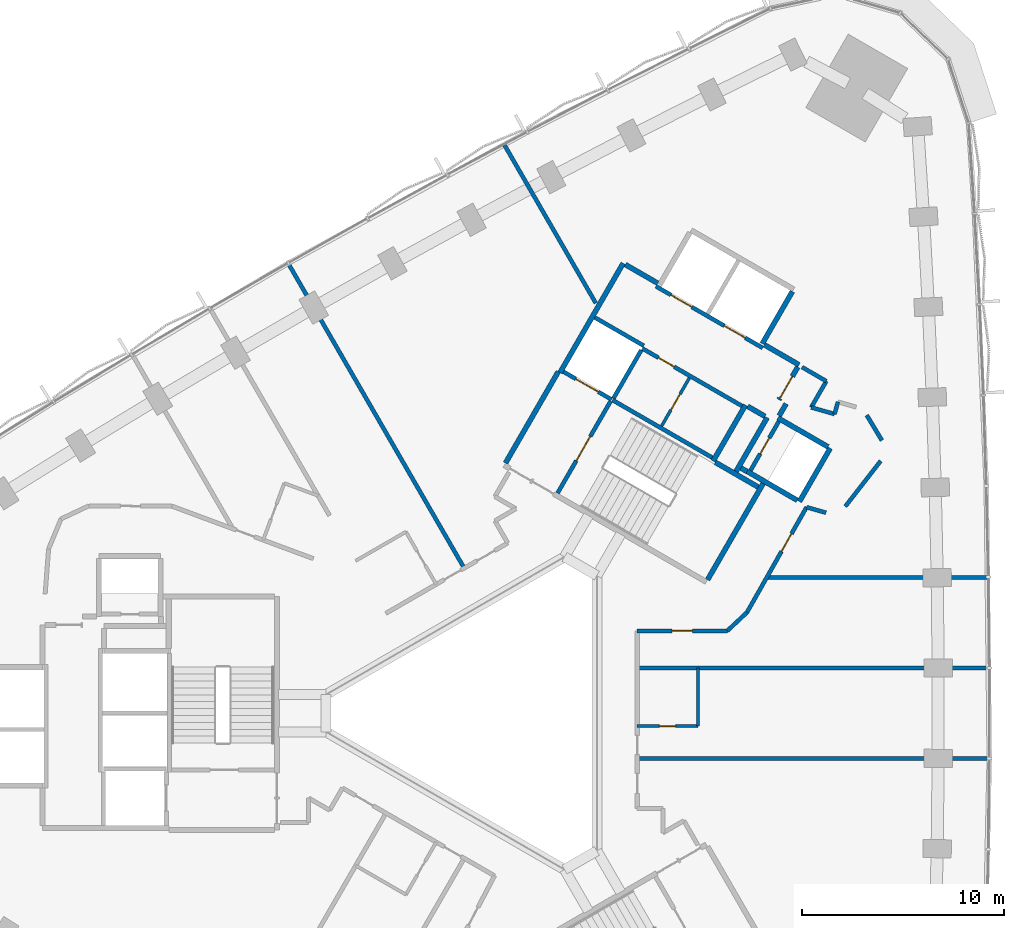
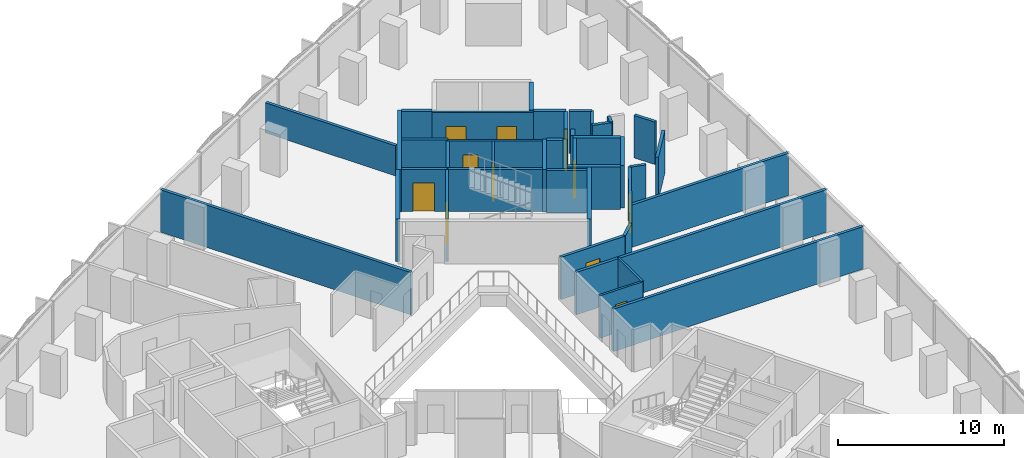
# One storey, part 11 of 15: 42 walls, 11 doors, 11 openings.
"""IFC4 building model written with IfcOpenShell, lengths in metres."""

import ifcopenshell
import ifcopenshell.guid

model = None  # the IFC model being written
_history = None  # IfcOwnerHistory: only IFC2X3 demands one
_inside = {}  # id of a spatial element -> (the spatial element, [elements in it])
_under = {}  # id of a project, library or spatial element -> (it, [spatial elements below it])
_declared = {}  # id of a project -> (the project, [libraries it declares])
_typed = {}  # id of a type object -> (the type object, [elements of that type])
_made_of = {}  # id of a material, layer set ... -> (it, [elements and type objects made of it])


def new_model(schema):
    """Start an empty IFC model of exactly this schema.

    Asked for "IFC4X3", IfcOpenShell would pick the latest addendum, in which some entities
    have other attributes; the version numbers below select the first issue.
    IFC2X3 requires an IfcOwnerHistory on every rooted entity: one is made here for all.
    """
    global model, _history
    if schema == "IFC4X3":
        model = ifcopenshell.file(schema_version=(4, 3, 0, 0))
    else:
        model = ifcopenshell.file(schema=schema)
    _inside.clear()
    _under.clear()
    _declared.clear()
    _typed.clear()
    _made_of.clear()
    _history = None
    if model.schema == "IFC2X3":
        org = make("IfcOrganization", Name="unknown")
        user = make(
            "IfcPersonAndOrganization",
            ThePerson=make("IfcPerson", FamilyName="unknown"),
            TheOrganization=org,
        )
        app = make(
            "IfcApplication",
            ApplicationDeveloper=org,
            Version="unknown",
            ApplicationFullName="unknown",
            ApplicationIdentifier="unknown",
        )
        _history = make(
            "IfcOwnerHistory",
            OwningUser=user,
            OwningApplication=app,
            ChangeAction="ADDED",
            CreationDate=0,
        )
    return model


def make(cls, **values):
    """One entity of the class cls with the attributes given. An attribute that is None is left unset."""
    return model.create_entity(
        cls, **{name: value for name, value in values.items() if value is not None}
    )


def rooted(cls, **values):
    """An entity with a GlobalId (a new one), such as an element, a storey or a relation."""
    return make(cls, GlobalId=ifcopenshell.guid.new(), OwnerHistory=_history, **values)


def si_unit(unit_type, name, prefix=None):
    """IfcSIUnit, for example si_unit("LENGTHUNIT", "METRE", prefix="MILLI")."""
    return make("IfcSIUnit", UnitType=unit_type, Prefix=prefix, Name=name)


def assignment(units):
    """IfcUnitAssignment: the units of a project."""
    return None if units is None else make("IfcUnitAssignment", Units=units)


def point(xyz):
    """IfcCartesianPoint."""
    return None if xyz is None else make("IfcCartesianPoint", Coordinates=xyz)


def direction(xyz):
    """IfcDirection."""
    return None if xyz is None else make("IfcDirection", DirectionRatios=xyz)


def frame(location, z_axis=None, x_axis=None):
    """IfcAxis2Placement3D, a coordinate frame: its origin and axes. An axis left out is left unset."""
    return make(
        "IfcAxis2Placement3D",
        Location=point(location),
        Axis=direction(z_axis),
        RefDirection=direction(x_axis),
    )


def frame_2d(location, x_axis=None):
    """IfcAxis2Placement2D, a coordinate frame in the plane: its origin and x axis."""
    return make(
        "IfcAxis2Placement2D", Location=point(location), RefDirection=direction(x_axis)
    )


def origin():
    """The frame at (0, 0, 0) with its axes left unset."""
    return frame((0.0, 0.0, 0.0))


def place(relative_to, where):
    """IfcLocalPlacement: puts the frame where relative to a parent placement (None: the world)."""
    return make(
        "IfcLocalPlacement", PlacementRelTo=relative_to, RelativePlacement=where
    )


def context(
    kind, dimensions, precision=None, world=None, true_north=None, identifier=None
):
    """IfcGeometricRepresentationContext, for example the 3D "Model" context."""
    return make(
        "IfcGeometricRepresentationContext",
        ContextIdentifier=identifier,
        ContextType=kind,
        CoordinateSpaceDimension=dimensions,
        Precision=precision,
        WorldCoordinateSystem=world,
        TrueNorth=true_north,
    )


def subcontext(parent, identifier, kind, view, scale=None):
    """IfcGeometricRepresentationSubContext, for example "Body" below "Model"."""
    return make(
        "IfcGeometricRepresentationSubContext",
        ContextIdentifier=identifier,
        ContextType=kind,
        ParentContext=parent,
        TargetScale=scale,
        TargetView=view,
    )


def project(units=None, contexts=None):
    """IfcProject with its units and contexts."""
    return rooted(
        "IfcProject",
        Name="project",
        RepresentationContexts=contexts,
        UnitsInContext=assignment(units),
    )


def spatial(cls, under=None, at=None, **own):
    """A site, building, storey or space (cls), placed at a placement, below another one or the project."""
    s = rooted(cls, ObjectPlacement=at, **own)
    if under is not None:
        _under.setdefault(under.id(), (under, []))[1].append(s)
    return s


def profile(cls, at=None, kind="AREA", **sizes):
    """A parametric profile (cls). Its sizes go by their IFC names, for example OverallWidth=200.0."""
    return make(cls, ProfileType=kind, Position=at, **sizes)


def rectangle(**sizes):
    """IfcRectangleProfileDef."""
    return profile("IfcRectangleProfileDef", **sizes)


def extrude(swept, where, along, depth):
    """IfcExtrudedAreaSolid: the profile swept, set in the frame where, extruded along a direction by depth."""
    return make(
        "IfcExtrudedAreaSolid",
        SweptArea=swept,
        Position=where,
        ExtrudedDirection=direction(along),
        Depth=depth,
    )


def shape(context_of_items, identifier, shape_type, items):
    """IfcShapeRepresentation: the items that make up one representation, for example the "Body"."""
    return make(
        "IfcShapeRepresentation",
        ContextOfItems=context_of_items,
        RepresentationIdentifier=identifier,
        RepresentationType=shape_type,
        Items=items,
    )


def material(Name=None, Category=None):
    """IfcMaterial."""
    return make("IfcMaterial", Name=Name, Category=Category)


def layer(
    of_material, thickness, ventilated=None, Name=None, Category=None, Priority=None
):
    """IfcMaterialLayer: one layer of a wall or slab, of a material (None: an air gap)."""
    return make(
        "IfcMaterialLayer",
        Material=of_material,
        LayerThickness=thickness,
        IsVentilated=ventilated,
        Name=Name,
        Category=Category,
        Priority=Priority,
    )


def layer_set(layers, Name=None):
    """IfcMaterialLayerSet."""
    return make("IfcMaterialLayerSet", MaterialLayers=layers, LayerSetName=Name)


def made_of(thing, what):
    """Note that an element or type object is made of a material, layer set ...; save() writes the relation."""
    if what is not None:
        _made_of.setdefault(what.id(), (what, []))[1].append(thing)
    return thing


def type_object(cls, material=None, **own):
    """A type object (cls), such as IfcWallType, which elements share."""
    return made_of(rooted(cls, **own), material)


def element(
    cls,
    number,
    at=None,
    inside=None,
    cuts=None,
    type_object=None,
    material=None,
    context=None,
    identifier="Body",
    shape_type=None,
    held_by="IfcProductDefinitionShape",
    body=None,
    shapes=None,
    **own,
):
    """One element of the class cls, such as IfcWall. Its Tag is "e" and its number.

    at: its placement. inside: the storey or other place that contains it. cuts: it is an
    opening in that element (IfcRelVoidsElement). A single representation is given by context,
    identifier, shape_type and body (its items); several are given by shapes. held_by: the class
    of the entity that holds the representations. save() writes the other relations.
    """
    e = rooted(cls, Tag="e%d" % number, ObjectPlacement=at, **own)
    if body is not None:
        shapes = [shape(context, identifier, shape_type, body)]
    if shapes is not None:
        e.Representation = make(held_by, Representations=shapes)
    if inside is not None:
        _inside.setdefault(inside.id(), (inside, []))[1].append(e)
    if cuts is not None:
        rooted(
            "IfcRelVoidsElement", RelatingBuildingElement=cuts, RelatedOpeningElement=e
        )
    if type_object is not None:
        _typed.setdefault(type_object.id(), (type_object, []))[1].append(e)
    return made_of(e, material)


def fill(opening, filler):
    """IfcRelFillsElement: the door or window that sits in an opening."""
    return rooted(
        "IfcRelFillsElement",
        RelatingOpeningElement=opening,
        RelatedBuildingElement=filler,
    )


def aggregate(whole, parts):
    """IfcRelAggregates: a whole, such as a stair, and the parts it consists of."""
    return rooted("IfcRelAggregates", RelatingObject=whole, RelatedObjects=parts)


def save(model, path):
    """Write the relations noted so far, then the file.

    IfcRelAggregates (storeys below a building ...), IfcRelContainedInSpatialStructure (elements
    in a storey), IfcRelDefinesByType, IfcRelAssociatesMaterial and IfcRelDeclares: one each for
    every whole, place, type object, material and project.
    """
    for whole, parts in _under.values():
        aggregate(whole, parts)
    for where, things in _inside.values():
        rooted(
            "IfcRelContainedInSpatialStructure",
            RelatedElements=things,
            RelatingStructure=where,
        )
    for kind, things in _typed.values():
        rooted("IfcRelDefinesByType", RelatedObjects=things, RelatingType=kind)
    for what, things in _made_of.values():
        rooted("IfcRelAssociatesMaterial", RelatedObjects=things, RelatingMaterial=what)
    for by, libraries in _declared.values():
        rooted("IfcRelDeclares", RelatingContext=by, RelatedDefinitions=libraries)
    model.write(path)


model = new_model("IFC4")

# Units and contexts
model_context = context("Model", 3, precision=1e-05, world=origin(), true_north=direction((0.0, 1.0)))
body_context = subcontext(model_context, "Body", "Model", "MODEL_VIEW")
ifc_project = project(units=[si_unit("LENGTHUNIT", "METRE"), si_unit("AREAUNIT", "SQUARE_METRE"), si_unit("VOLUMEUNIT", "CUBIC_METRE"), si_unit("PLANEANGLEUNIT", "RADIAN"), si_unit("MASSUNIT", "GRAM", prefix="KILO")], contexts=[model_context])

# Site, building, storey
site_placement = place(None, origin())
site = spatial("IfcSite", under=ifc_project, at=site_placement, CompositionType="ELEMENT")
building_placement = place(site_placement, origin())
building = spatial("IfcBuilding", under=site, at=building_placement, Name="Tamra Quay Hotel Tower", CompositionType="ELEMENT")
storey_placement = place(building_placement, frame((0.0, 0.0, 63.800048828125)))
storey = spatial("IfcBuildingStorey", under=building, at=storey_placement, Name="L14", CompositionType="ELEMENT", Elevation=63.800048828125)

# Wall, openings, doors
ifc_material_1 = material(Name="Concrete M70", Category="concrete")
ifc_layer_1 = layer(ifc_material_1, 0.199951171875)
ifc_layer_set_1 = layer_set([ifc_layer_1], Name="Concrete M70 core wall 200")
wall_type_1 = type_object("IfcWallType", Name="Concrete M70 core wall 200", PredefinedType="SHEAR", material=ifc_layer_set_1)
wall_1_placement = place(storey_placement, frame((13.209716796875, 18.07958984375, 0.0), z_axis=(0.0, 0.0, 1.0), x_axis=(-0.866030299012, 0.499991521122, 0.0)))
wall_1 = element("IfcWall", 1, at=wall_1_placement, inside=storey, type_object=wall_type_1, Name="CW2", PredefinedType="SHEAR", context=body_context, shape_type="SweptSolid", body=[
    extrude(rectangle(XDim=6.10009765625, YDim=0.199951171875, at=frame_2d((3.050048828125, 0.0))), origin(), (0.0, 0.0, 1.0), 3.125),
])
opening_1_placement = place(wall_1_placement, frame((1.0, 0.0, 0.0)))
opening_1 = element("IfcOpeningElement", 2, at=opening_1_placement, cuts=wall_1, Name="Opening LD", PredefinedType="OPENING", context=body_context, shape_type="SweptSolid", body=[
    extrude(rectangle(XDim=1.199951171875, YDim=2.10009765625, at=frame_2d((0.60009765625, 1.050048828125))), frame((0.0, 0.10986328125, 0.0), z_axis=(0.0, -1.0, 0.0), x_axis=(1.0, 0.0, 0.0)), (0.0, 0.0, 1.0), 0.219970703125),
])
opening_2_placement = place(wall_1_placement, frame((4.05029296875, 0.0, 0.0)))
opening_2 = element("IfcOpeningElement", 3, at=opening_2_placement, cuts=wall_1, Name="Opening LD", PredefinedType="OPENING", context=body_context, shape_type="SweptSolid", body=[
    extrude(rectangle(XDim=1.199951171875, YDim=2.10009765625, at=frame_2d((0.60009765625, 1.050048828125))), frame((0.0, 0.10986328125, 0.0), z_axis=(0.0, -1.0, 0.0), x_axis=(1.0, 0.0, 0.0)), (0.0, 0.0, 1.0), 0.219970703125),
])
ifc_material_2 = material(Name="Landing door LD 1200 double door sliding")
door_type_1 = type_object("IfcDoorType", Name="Landing door LD 1200 double door sliding", OperationType="DOUBLE_DOOR_SLIDING", PredefinedType="DOOR", material=ifc_material_2)
door_1_placement = place(opening_1_placement, origin())
door_1 = element("IfcDoor", 4, at=door_1_placement, inside=storey, type_object=door_type_1, Name="LD", OperationType="DOUBLE_DOOR_SLIDING", OverallHeight=2.10009765625, OverallWidth=1.199951171875, PredefinedType="DOOR", context=body_context, shape_type="SweptSolid", body=[
    extrude(rectangle(XDim=1.199951171875, YDim=2.10009765625, at=frame_2d((0.60009765625, 1.050048828125))), frame((0.0, 0.02490234375, 0.0), z_axis=(0.0, -1.0, 0.0), x_axis=(1.0, 0.0, 0.0)), (0.0, 0.0, 1.0), 0.050048828125),
])
fill(opening_1, door_1)
door_2_placement = place(opening_2_placement, origin())
door_2 = element("IfcDoor", 5, at=door_2_placement, inside=storey, type_object=door_type_1, Name="LD", OperationType="DOUBLE_DOOR_SLIDING", OverallHeight=2.10009765625, OverallWidth=1.199951171875, PredefinedType="DOOR", context=body_context, shape_type="SweptSolid", body=[
    extrude(rectangle(XDim=1.199951171875, YDim=2.10009765625, at=frame_2d((0.60009765625, 1.050048828125))), frame((0.0, 0.02490234375, 0.0), z_axis=(0.0, -1.0, 0.0), x_axis=(1.0, 0.0, 0.0)), (0.0, 0.0, 1.0), 0.050048828125),
])
fill(opening_2, door_2)

# Wall
wall_2_placement = place(storey_placement, frame((5.774658203125, 15.501953125, 0.0), z_axis=(0.0, 0.0, 1.0), x_axis=(0.866020080793, -0.500009219579, 0.0)))
element("IfcWall", 6, at=wall_2_placement, inside=storey, type_object=wall_type_1, Name="CW2", PredefinedType="SHEAR", context=body_context, shape_type="SweptSolid", body=[
    extrude(rectangle(XDim=5.69921875, YDim=0.199951171875, at=frame_2d((2.849609375, 0.0))), origin(), (0.0, 0.0, 1.0), 3.125),
])

# Wall, opening, door
wall_3_placement = place(storey_placement, frame((12.18505859375, 15.20703125, 0.0), z_axis=(0.0, 0.0, 1.0), x_axis=(-0.866020080793, 0.500009219579, 0.0)))
wall_3 = element("IfcWall", 7, at=wall_3_placement, inside=storey, type_object=wall_type_1, Name="CW2", PredefinedType="SHEAR", context=body_context, shape_type="SweptSolid", body=[
    extrude(rectangle(XDim=5.69921875, YDim=0.199951171875, at=frame_2d((2.849609375, 0.0))), origin(), (0.0, 0.0, 1.0), 3.125),
])
opening_3_placement = place(wall_3_placement, frame((3.8740234375, 0.0, 0.0)))
opening_3 = element("IfcOpeningElement", 8, at=opening_3_placement, cuts=wall_3, Name="Opening D2", PredefinedType="OPENING", context=body_context, shape_type="SweptSolid", body=[
    extrude(rectangle(XDim=0.89990234375, YDim=2.10009765625, at=frame_2d((0.449951171875, 1.050048828125))), frame((0.0, 0.10986328125, 0.0), z_axis=(0.0, -1.0, 0.0), x_axis=(1.0, 0.0, 0.0)), (0.0, 0.0, 1.0), 0.219970703125),
])
ifc_material_3 = material(Name="Core door D2 900x2100 LH")
door_type_2 = type_object("IfcDoorType", Name="Core door D2 900x2100 LH", OperationType="NOTDEFINED", PredefinedType="DOOR", material=ifc_material_3)
door_3_placement = place(opening_3_placement, origin())
door_3 = element("IfcDoor", 9, at=door_3_placement, inside=storey, type_object=door_type_2, Name="D2", OperationType="SINGLE_SWING_LEFT", OverallHeight=2.10009765625, OverallWidth=0.89990234375, PredefinedType="DOOR", context=body_context, shape_type="SweptSolid", body=[
    extrude(rectangle(XDim=0.89990234375, YDim=2.10009765625, at=frame_2d((0.449951171875, 1.050048828125))), frame((0.0, 0.02490234375, 0.0), z_axis=(0.0, -1.0, 0.0), x_axis=(1.0, 0.0, 0.0)), (0.0, 0.0, 1.0), 0.050048828125),
])
fill(opening_3, door_3)

wall_4_placement = place(storey_placement, frame((3.056640625, 10.89453125, 0.0), z_axis=(0.0, 0.0, 1.0), x_axis=(0.499989418164, 0.866031513124, 0.0)))
wall_4 = element("IfcWall", 10, at=wall_4_placement, inside=storey, type_object=wall_type_1, Name="CW2", PredefinedType="SHEAR", context=body_context, shape_type="SweptSolid", body=[
    extrude(rectangle(XDim=5.2509765625, YDim=0.199951171875, at=frame_2d((2.62548828125, 0.0))), origin(), (0.0, 0.0, 1.0), 3.125),
])
opening_4_placement = place(wall_4_placement, frame((1.84912109375, 0.0, 0.0)))
opening_4 = element("IfcOpeningElement", 11, at=opening_4_placement, cuts=wall_4, Name="Opening FD2", PredefinedType="OPENING", context=body_context, shape_type="SweptSolid", body=[
    extrude(rectangle(XDim=1.39990234375, YDim=2.10009765625, at=frame_2d((0.699951171875, 1.050048828125))), frame((0.0, 0.10986328125, 0.0), z_axis=(0.0, -1.0, 0.0), x_axis=(1.0, 0.0, 0.0)), (0.0, 0.0, 1.0), 0.219970703125),
])
ifc_material_4 = material(Name="Core door FD2 1400x2100 RH")
door_type_3 = type_object("IfcDoorType", Name="Core door FD2 1400x2100 RH", OperationType="NOTDEFINED", PredefinedType="DOOR", material=ifc_material_4)
door_4_placement = place(opening_4_placement, origin())
door_4 = element("IfcDoor", 12, at=door_4_placement, inside=storey, type_object=door_type_3, Name="FD2", OperationType="SINGLE_SWING_RIGHT", OverallHeight=2.10009765625, OverallWidth=1.39990234375, PredefinedType="DOOR", context=body_context, shape_type="SweptSolid", body=[
    extrude(rectangle(XDim=1.39990234375, YDim=2.10009765625, at=frame_2d((0.699951171875, 1.050048828125))), frame((0.0, 0.02490234375, 0.0), z_axis=(0.0, -1.0, 0.0), x_axis=(1.0, 0.0, 0.0)), (0.0, 0.0, 1.0), 0.050048828125),
])
fill(opening_4, door_4)

wall_5_placement = place(storey_placement, frame((14.0078125, 14.442138671875, 0.0), z_axis=(0.0, 0.0, 1.0), x_axis=(-0.499986818241, -0.866033014143, 0.0)))
wall_5 = element("IfcWall", 13, at=wall_5_placement, inside=storey, type_object=wall_type_1, Name="CW2", PredefinedType="SHEAR", context=body_context, shape_type="SweptSolid", body=[
    extrude(rectangle(XDim=2.7978515625, YDim=0.199951171875, at=frame_2d((1.39892578125, 0.0))), origin(), (0.0, 0.0, 1.0), 3.125),
])
opening_5_placement = place(wall_5_placement, frame((0.948974609375, 0.0, 0.0)))
opening_5 = element("IfcOpeningElement", 14, at=opening_5_placement, cuts=wall_5, Name="Opening D1", PredefinedType="OPENING", context=body_context, shape_type="SweptSolid", body=[
    extrude(rectangle(XDim=0.89990234375, YDim=2.10009765625, at=frame_2d((0.449951171875, 1.050048828125))), frame((0.0, 0.10986328125, 0.0), z_axis=(0.0, -1.0, 0.0), x_axis=(1.0, 0.0, 0.0)), (0.0, 0.0, 1.0), 0.219970703125),
])
ifc_material_5 = material(Name="Core door D1 900x2100 RH")
door_type_4 = type_object("IfcDoorType", Name="Core door D1 900x2100 RH", OperationType="NOTDEFINED", PredefinedType="DOOR", material=ifc_material_5)
door_5_placement = place(opening_5_placement, origin())
door_5 = element("IfcDoor", 15, at=door_5_placement, inside=storey, type_object=door_type_4, Name="D1", OperationType="SINGLE_SWING_RIGHT", OverallHeight=2.10009765625, OverallWidth=0.89990234375, PredefinedType="DOOR", context=body_context, shape_type="SweptSolid", body=[
    extrude(rectangle(XDim=0.89990234375, YDim=2.10009765625, at=frame_2d((0.449951171875, 1.050048828125))), frame((0.0, 0.02490234375, 0.0), z_axis=(0.0, -1.0, 0.0), x_axis=(1.0, 0.0, 0.0)), (0.0, 0.0, 1.0), 0.050048828125),
])
fill(opening_5, door_5)

# Wall
wall_6_placement = place(storey_placement, frame((7.199462890625, 17.969970703125, 0.0), z_axis=(0.0, 0.0, 1.0), x_axis=(-0.499968400327, -0.866043647095, 0.0)))
element("IfcWall", 16, at=wall_6_placement, inside=storey, type_object=wall_type_1, Name="CW2", PredefinedType="SHEAR", context=body_context, shape_type="SweptSolid", body=[
    extrude(rectangle(XDim=2.749755859375, YDim=0.199951171875, at=frame_2d((1.375, 0.0))), origin(), (0.0, 0.0, 1.0), 3.125),
])

# Wall, opening, door
wall_7_placement = place(storey_placement, frame((5.72509765625, 15.530517578125, 0.0), z_axis=(0.0, 0.0, 1.0), x_axis=(-0.866037306777, 0.499979382845, 0.0)))
wall_7 = element("IfcWall", 17, at=wall_7_placement, inside=storey, type_object=wall_type_1, Name="CW2", PredefinedType="SHEAR", context=body_context, shape_type="SweptSolid", body=[
    extrude(rectangle(XDim=2.74169921875, YDim=0.199951171875, at=frame_2d((1.370849609375, 0.0))), origin(), (0.0, 0.0, 1.0), 3.125),
])
opening_6_placement = place(wall_7_placement, frame((0.742919921875, 0.0, 0.0)))
opening_6 = element("IfcOpeningElement", 18, at=opening_6_placement, cuts=wall_7, Name="Opening LD", PredefinedType="OPENING", context=body_context, shape_type="SweptSolid", body=[
    extrude(rectangle(XDim=1.300048828125, YDim=2.10009765625, at=frame_2d((0.64990234375, 1.050048828125))), frame((0.0, 0.10986328125, 0.0), z_axis=(0.0, -1.0, 0.0), x_axis=(1.0, 0.0, 0.0)), (0.0, 0.0, 1.0), 0.219970703125),
])
ifc_material_6 = material(Name="Landing door LD 1300 sliding to right")
door_type_5 = type_object("IfcDoorType", Name="Landing door LD 1300 sliding to right", OperationType="NOTDEFINED", PredefinedType="DOOR", material=ifc_material_6)
door_6_placement = place(opening_6_placement, origin())
door_6 = element("IfcDoor", 19, at=door_6_placement, inside=storey, type_object=door_type_5, Name="LD", OperationType="SLIDING_TO_RIGHT", OverallHeight=2.10009765625, OverallWidth=1.300048828125, PredefinedType="DOOR", context=body_context, shape_type="SweptSolid", body=[
    extrude(rectangle(XDim=1.300048828125, YDim=2.10009765625, at=frame_2d((0.64990234375, 1.050048828125))), frame((0.0, 0.02490234375, 0.0), z_axis=(0.0, -1.0, 0.0), x_axis=(1.0, 0.0, 0.0)), (0.0, 0.0, 1.0), 0.050048828125),
])
fill(opening_6, door_6)

# Walls
wall_8_placement = place(storey_placement, frame((4.900634765625, 19.5859375, 0.0), z_axis=(0.0, 0.0, 1.0), x_axis=(0.866022890907, -0.500004352405, 0.0)))
element("IfcWall", 20, at=wall_8_placement, inside=storey, type_object=wall_type_1, Name="CW2", PredefinedType="SHEAR", context=body_context, shape_type="SweptSolid", body=[
    extrude(rectangle(XDim=2.798828125, YDim=0.199951171875, at=frame_2d((1.3994140625, 0.0))), origin(), (0.0, 0.0, 1.0), 3.125),
])
ifc_layer_2 = layer(ifc_material_1, 0.25)
ifc_layer_set_2 = layer_set([ifc_layer_2], Name="Concrete M70 core wall 250")
wall_type_2 = type_object("IfcWallType", Name="Concrete M70 core wall 250", PredefinedType="SHEAR", material=ifc_layer_set_2)
wall_9_placement = place(storey_placement, frame((3.178955078125, 16.856201171875, 0.0), z_axis=(0.0, 0.0, 1.0), x_axis=(0.500004234368, 0.866022959057, 0.0)))
element("IfcWall", 21, at=wall_9_placement, inside=storey, type_object=wall_type_2, Name="CW1", PredefinedType="SHEAR", context=body_context, shape_type="SweptSolid", body=[
    extrude(rectangle(XDim=6.25, YDim=0.25, at=frame_2d((3.125, 0.0))), origin(), (0.0, 0.0, 1.0), 3.125),
])
wall_10_placement = place(storey_placement, frame((0.47998046875, 12.38134765625, 0.0), z_axis=(0.0, 0.0, 1.0), x_axis=(0.49999885962, 0.866026062182, 0.0)))
element("IfcWall", 22, at=wall_10_placement, inside=storey, type_object=wall_type_2, Name="CW1", PredefinedType="SHEAR", context=body_context, shape_type="SweptSolid", body=[
    extrude(rectangle(XDim=5.224609375, YDim=0.25, at=frame_2d((2.6123046875, 0.0))), origin(), (0.0, 0.0, 1.0), 3.125),
])
wall_11_placement = place(storey_placement, frame((13.237548828125, 11.3779296875, 0.0), z_axis=(0.0, 0.0, 1.0), x_axis=(-0.500008851346, -0.866020293397, 0.0)))
element("IfcWall", 23, at=wall_11_placement, inside=storey, type_object=wall_type_2, Name="CW1", PredefinedType="SHEAR", context=body_context, shape_type="SweptSolid", body=[
    extrude(rectangle(XDim=5.509765625, YDim=0.25, at=frame_2d((2.7548828125, 0.0))), origin(), (0.0, 0.0, 1.0), 3.125),
])
wall_12_placement = place(storey_placement, frame((12.356689453125, 15.25244140625, 0.0), z_axis=(0.0, 0.0, 1.0), x_axis=(-0.500028443584, -0.866008981251, 0.0)))
element("IfcWall", 24, at=wall_12_placement, inside=storey, type_object=wall_type_2, Name="CW1", PredefinedType="SHEAR", context=body_context, shape_type="SweptSolid", body=[
    extrude(rectangle(XDim=3.199951171875, YDim=0.25, at=frame_2d((1.60009765625, 0.0))), origin(), (0.0, 0.0, 1.0), 3.125),
])
wall_13_placement = place(storey_placement, frame((14.67626953125, 20.869873046875, 0.0), z_axis=(0.0, 0.0, 1.0), x_axis=(-0.499987686533, -0.866032512851, 0.0)))
element("IfcWall", 25, at=wall_13_placement, inside=storey, type_object=wall_type_2, Name="CW1", PredefinedType="SHEAR", context=body_context, shape_type="SweptSolid", body=[
    extrude(rectangle(XDim=2.974609375, YDim=0.25, at=frame_2d((1.4873046875, 0.0))), origin(), (0.0, 0.0, 1.0), 3.125),
])
wall_14_placement = place(storey_placement, frame((16.552001953125, 13.118896484375, 0.0), z_axis=(0.0, 0.0, 1.0), x_axis=(-0.499978833458, -0.866037623948, 0.0)))
element("IfcWall", 26, at=wall_14_placement, inside=storey, type_object=wall_type_2, Name="CW1", PredefinedType="SHEAR", context=body_context, shape_type="SweptSolid", body=[
    extrude(rectangle(XDim=3.050048828125, YDim=0.25, at=frame_2d((1.52490234375, 0.0))), origin(), (0.0, 0.0, 1.0), 3.125),
])
wall_15_placement = place(storey_placement, frame((14.91845703125, 10.540283203125, 0.0), z_axis=(0.0, 0.0, 1.0), x_axis=(-0.866063538972, 0.499933942099, 0.0)))
element("IfcWall", 27, at=wall_15_placement, inside=storey, type_object=wall_type_2, Name="CW1", PredefinedType="SHEAR", context=body_context, shape_type="SweptSolid", body=[
    extrude(rectangle(XDim=2.86474609375, YDim=0.25, at=frame_2d((1.432373046875, 0.0))), origin(), (0.0, 0.0, 1.0), 3.125),
])
wall_16_placement = place(storey_placement, frame((13.962646484375, 14.61376953125, 0.0), z_axis=(0.0, 0.0, 1.0), x_axis=(0.866042235819, -0.499970844928, 0.0)))
element("IfcWall", 28, at=wall_16_placement, inside=storey, type_object=wall_type_2, Name="CW1", PredefinedType="SHEAR", context=body_context, shape_type="SweptSolid", body=[
    extrude(rectangle(XDim=2.864501953125, YDim=0.25, at=frame_2d((1.43212890625, 0.0))), origin(), (0.0, 0.0, 1.0), 3.125),
])
wall_17_placement = place(storey_placement, frame((11.887939453125, 11.960693359375, 0.0), z_axis=(0.0, 0.0, 1.0), x_axis=(0.500003324108, 0.866023484601, 0.0)))
element("IfcWall", 29, at=wall_17_placement, inside=storey, type_object=wall_type_2, Name="CW1", PredefinedType="SHEAR", context=body_context, shape_type="SweptSolid", body=[
    extrude(rectangle(XDim=3.0849609375, YDim=0.25, at=frame_2d((1.54248046875, 0.0))), origin(), (0.0, 0.0, 1.0), 3.125),
])
wall_18_placement = place(storey_placement, frame((10.865234375, 12.41845703125, 0.0), z_axis=(0.0, 0.0, 1.0), x_axis=(0.866026229868, -0.499998569178, 0.0)))
element("IfcWall", 30, at=wall_18_placement, inside=storey, type_object=wall_type_2, Name="CW1", PredefinedType="SHEAR", context=body_context, shape_type="SweptSolid", body=[
    extrude(rectangle(XDim=2.44921875, YDim=0.25, at=frame_2d((1.224609375, 0.0))), origin(), (0.0, 0.0, 1.0), 3.125),
])
wall_19_placement = place(storey_placement, frame((13.29736328125, 18.23095703125, 0.0), z_axis=(0.0, 0.0, 1.0), x_axis=(0.866043531843, -0.499968599967, 0.0)))
element("IfcWall", 31, at=wall_19_placement, inside=storey, type_object=wall_type_2, Name="CW1", PredefinedType="SHEAR", context=body_context, shape_type="SweptSolid", body=[
    extrude(rectangle(XDim=1.974853515625, YDim=0.25, at=frame_2d((0.9873046875, 0.0))), origin(), (0.0, 0.0, 1.0), 3.125),
])
wall_20_placement = place(storey_placement, frame((6.41259765625, 22.2060546875, 0.0), z_axis=(0.0, 0.0, 1.0), x_axis=(0.866016279763, -0.500015802937, 0.0)))
element("IfcWall", 32, at=wall_20_placement, inside=storey, type_object=wall_type_2, Name="CW1", PredefinedType="SHEAR", context=body_context, shape_type="SweptSolid", body=[
    extrude(rectangle(XDim=1.84912109375, YDim=0.25, at=frame_2d((0.924560546875, 0.0))), origin(), (0.0, 0.0, 1.0), 3.125),
])

# Wall, opening, door
wall_21_placement = place(storey_placement, frame((14.94482421875, 17.13525390625, 0.0), z_axis=(0.0, 0.0, 1.0), x_axis=(-0.499983108224, -0.866035156036, 0.0)))
wall_21 = element("IfcWall", 33, at=wall_21_placement, inside=storey, type_object=wall_type_2, Name="CW1", PredefinedType="SHEAR", context=body_context, shape_type="SweptSolid", body=[
    extrude(rectangle(XDim=1.86474609375, YDim=0.25, at=frame_2d((0.932373046875, 0.0))), origin(), (0.0, 0.0, 1.0), 3.125),
])
opening_7_placement = place(wall_21_placement, frame((0.53466796875, 0.0, 0.0)))
opening_7 = element("IfcOpeningElement", 34, at=opening_7_placement, cuts=wall_21, Name="Opening FD3", PredefinedType="OPENING", context=body_context, shape_type="SweptSolid", body=[
    extrude(rectangle(XDim=1.25, YDim=2.10009765625, at=frame_2d((0.625, 1.050048828125))), frame((0.0, 0.135009765625, 0.0), z_axis=(0.0, -1.0, 0.0), x_axis=(1.0, 0.0, 0.0)), (0.0, 0.0, 1.0), 0.27001953125),
])
ifc_material_7 = material(Name="Core door FD3 1250x2100 LH")
door_type_6 = type_object("IfcDoorType", Name="Core door FD3 1250x2100 LH", OperationType="NOTDEFINED", PredefinedType="DOOR", material=ifc_material_7)
door_7_placement = place(opening_7_placement, origin())
door_7 = element("IfcDoor", 35, at=door_7_placement, inside=storey, type_object=door_type_6, Name="FD3", OperationType="SINGLE_SWING_LEFT", OverallHeight=2.10009765625, OverallWidth=1.25, PredefinedType="DOOR", context=body_context, shape_type="SweptSolid", body=[
    extrude(rectangle(XDim=1.25, YDim=2.10009765625, at=frame_2d((0.625, 1.050048828125))), frame((0.0, 0.02490234375, 0.0), z_axis=(0.0, -1.0, 0.0), x_axis=(1.0, 0.0, 0.0)), (0.0, 0.0, 1.0), 0.050048828125),
])
fill(opening_7, door_7)

# Walls
wall_22_placement = place(storey_placement, frame((13.322021484375, 14.695068359375, 0.0), z_axis=(0.0, 0.0, 1.0), x_axis=(-0.866017078145, 0.500014420154, 0.0)))
element("IfcWall", 36, at=wall_22_placement, inside=storey, type_object=wall_type_2, Name="CW1", PredefinedType="SHEAR", context=body_context, shape_type="SweptSolid", body=[
    extrude(rectangle(XDim=0.9892578125, YDim=0.25, at=frame_2d((0.49462890625, 0.0))), origin(), (0.0, 0.0, 1.0), 3.125),
])
wall_23_placement = place(storey_placement, frame((14.36767578125, 15.3154296875, 0.0), z_axis=(0.0, 0.0, 1.0), x_axis=(-0.499897359611, -0.866084655132, 0.0)))
element("IfcWall", 37, at=wall_23_placement, inside=storey, type_object=wall_type_2, Name="CW1", PredefinedType="SHEAR", context=body_context, shape_type="SweptSolid", body=[
    extrude(rectangle(XDim=0.684814453125, YDim=0.25, at=frame_2d((0.34228515625, 0.0))), origin(), (0.0, 0.0, 1.0), 3.125),
])
wall_24_placement = place(storey_placement, frame((12.4326171875, 11.9638671875, 0.0), z_axis=(0.0, 0.0, 1.0), x_axis=(-0.866055875208, 0.499947218231, 0.0)))
element("IfcWall", 38, at=wall_24_placement, inside=storey, type_object=wall_type_2, Name="CW1", PredefinedType="SHEAR", context=body_context, shape_type="SweptSolid", body=[
    extrude(rectangle(XDim=0.3447265625, YDim=0.25, at=frame_2d((0.17236328125, 0.0))), origin(), (0.0, 0.0, 1.0), 3.125),
])

# Wall, opening, door
ifc_material_8 = material(Name="Blockwork", Category="masonry")
ifc_layer_3 = layer(ifc_material_8, 0.14990234375)
ifc_layer_set_3 = layer_set([ifc_layer_3], Name="Core partition block 150")
wall_type_3 = type_object("IfcWallType", Name="Core partition block 150", PredefinedType="PARTITIONING", material=ifc_layer_set_3)
wall_25_placement = place(storey_placement, frame((8.20654296875, 14.214111328125, 0.0), z_axis=(0.0, 0.0, 1.0), x_axis=(0.499922376475, 0.866070215109, 0.0)))
wall_25 = element("IfcWall", 39, at=wall_25_placement, inside=storey, type_object=wall_type_3, Name="CP1", PredefinedType="PARTITIONING", context=body_context, shape_type="SweptSolid", body=[
    extrude(rectangle(XDim=2.74853515625, YDim=0.14990234375, at=frame_2d((1.374267578125, 0.0))), origin(), (0.0, 0.0, 1.0), 3.125),
])
opening_8_placement = place(wall_25_placement, frame((0.92431640625, 0.0, 0.0)))
opening_8 = element("IfcOpeningElement", 40, at=opening_8_placement, cuts=wall_25, Name="Opening D2", PredefinedType="OPENING", context=body_context, shape_type="SweptSolid", body=[
    extrude(rectangle(XDim=0.89990234375, YDim=2.10009765625, at=frame_2d((0.449951171875, 1.050048828125))), frame((0.0, 0.0849609375, 0.0), z_axis=(0.0, -1.0, 0.0), x_axis=(1.0, 0.0, 0.0)), (0.0, 0.0, 1.0), 0.169921875),
])
door_8_placement = place(opening_8_placement, origin())
door_8 = element("IfcDoor", 41, at=door_8_placement, inside=storey, type_object=door_type_2, Name="D2", OperationType="SINGLE_SWING_LEFT", OverallHeight=2.10009765625, OverallWidth=0.89990234375, PredefinedType="DOOR", context=body_context, shape_type="SweptSolid", body=[
    extrude(rectangle(XDim=0.89990234375, YDim=2.10009765625, at=frame_2d((0.449951171875, 1.050048828125))), frame((0.0, 0.02490234375, 0.0), z_axis=(0.0, -1.0, 0.0), x_axis=(1.0, 0.0, 0.0)), (0.0, 0.0, 1.0), 0.050048828125),
])
fill(opening_8, door_8)

ifc_material_9 = material(Name="Partition corridor wall")
ifc_layer_4 = layer(ifc_material_9, 0.199951171875)
ifc_layer_set_4 = layer_set([ifc_layer_4], Name="Partition corridor wall")
wall_type_4 = type_object("IfcWallType", Name="Partition corridor wall", PredefinedType="PARTITIONING", material=ifc_layer_set_4)
wall_26_placement = place(storey_placement, frame((7.0, 4.077880859375, 0.0), z_axis=(0.0, 0.0, 1.0), x_axis=(1.0, 0.0, 0.0)))
wall_26 = element("IfcWall", 42, at=wall_26_placement, inside=storey, type_object=wall_type_4, Name="W-C", PredefinedType="PARTITIONING", context=body_context, shape_type="SweptSolid", body=[
    extrude(rectangle(XDim=4.4580078125, YDim=0.199951171875, at=frame_2d((2.22900390625, 0.0))), origin(), (0.0, 0.0, 1.0), 3.125),
])
opening_9_placement = place(wall_26_placement, frame((1.72900390625, 0.0, 0.0)))
opening_9 = element("IfcOpeningElement", 43, at=opening_9_placement, cuts=wall_26, Name="Opening L14-D004", PredefinedType="OPENING", context=body_context, shape_type="SweptSolid", body=[
    extrude(rectangle(XDim=1.0, YDim=2.10009765625, at=frame_2d((0.5, 1.050048828125))), frame((0.0, 0.10986328125, 0.0), z_axis=(0.0, -1.0, 0.0), x_axis=(1.0, 0.0, 0.0)), (0.0, 0.0, 1.0), 0.219970703125),
])
ifc_material_10 = material(Name="Door guest room 1000x2100")
door_type_7 = type_object("IfcDoorType", Name="Door guest room 1000x2100", OperationType="NOTDEFINED", PredefinedType="DOOR", material=ifc_material_10)
door_9_placement = place(opening_9_placement, origin())
door_9 = element("IfcDoor", 44, at=door_9_placement, inside=storey, type_object=door_type_7, Name="L14-D004", OperationType="SINGLE_SWING_LEFT", OverallHeight=2.10009765625, OverallWidth=1.0, PredefinedType="DOOR", context=body_context, shape_type="SweptSolid", body=[
    extrude(rectangle(XDim=1.0, YDim=2.10009765625, at=frame_2d((0.5, 1.050048828125))), frame((0.0, 0.02490234375, 0.0), z_axis=(0.0, -1.0, 0.0), x_axis=(1.0, 0.0, 0.0)), (0.0, 0.0, 1.0), 0.050048828125),
])
fill(opening_9, door_9)

# Wall
wall_27_placement = place(storey_placement, frame((11.4580078125, 4.077880859375, 0.0), z_axis=(0.0, 0.0, 1.0), x_axis=(0.729936032318, 0.683515463412, 0.0)))
element("IfcWall", 45, at=wall_27_placement, inside=storey, type_object=wall_type_4, Name="W-C", PredefinedType="PARTITIONING", context=body_context, shape_type="SweptSolid", body=[
    extrude(rectangle(XDim=1.3359375, YDim=0.199951171875, at=frame_2d((0.66796875, 0.0))), origin(), (0.0, 0.0, 1.0), 3.125),
])

# Wall, opening, door
wall_28_placement = place(storey_placement, frame((12.43310546875, 4.991943359375, 0.0), z_axis=(0.0, 0.0, 1.0), x_axis=(0.492583054982, 0.870265438786, 0.0)))
wall_28 = element("IfcWall", 46, at=wall_28_placement, inside=storey, type_object=wall_type_4, Name="W-C", PredefinedType="PARTITIONING", context=body_context, shape_type="SweptSolid", body=[
    extrude(rectangle(XDim=5.981201171875, YDim=0.199951171875, at=frame_2d((2.99072265625, 0.0))), origin(), (0.0, 0.0, 1.0), 3.125),
])
opening_10_placement = place(wall_28_placement, frame((3.469482421875, 0.0, 0.0)))
opening_10 = element("IfcOpeningElement", 47, at=opening_10_placement, cuts=wall_28, Name="Opening L14-D005", PredefinedType="OPENING", context=body_context, shape_type="SweptSolid", body=[
    extrude(rectangle(XDim=1.0, YDim=2.10009765625, at=frame_2d((0.5, 1.050048828125))), frame((0.0, 0.10986328125, 0.0), z_axis=(0.0, -1.0, 0.0), x_axis=(1.0, 0.0, 0.0)), (0.0, 0.0, 1.0), 0.219970703125),
])
door_10_placement = place(opening_10_placement, origin())
door_10 = element("IfcDoor", 48, at=door_10_placement, inside=storey, type_object=door_type_7, Name="L14-D005", OperationType="SINGLE_SWING_LEFT", OverallHeight=2.10009765625, OverallWidth=1.0, PredefinedType="DOOR", context=body_context, shape_type="SweptSolid", body=[
    extrude(rectangle(XDim=1.0, YDim=2.10009765625, at=frame_2d((0.5, 1.050048828125))), frame((0.0, 0.02490234375, 0.0), z_axis=(0.0, -1.0, 0.0), x_axis=(1.0, 0.0, 0.0)), (0.0, 0.0, 1.0), 0.050048828125),
])
fill(opening_10, door_10)

# Walls
wall_29_placement = place(storey_placement, frame((15.155517578125, 17.130126953125, 0.0), z_axis=(0.0, 0.0, 1.0), x_axis=(0.865755062894, -0.500467952093, 0.0)))
element("IfcWall", 49, at=wall_29_placement, inside=storey, type_object=wall_type_4, Name="W-C", PredefinedType="PARTITIONING", context=body_context, shape_type="SweptSolid", body=[
    extrude(rectangle(XDim=1.388916015625, YDim=0.199951171875, at=frame_2d((0.6943359375, 0.0))), origin(), (0.0, 0.0, 1.0), 3.125),
])
wall_30_placement = place(storey_placement, frame((15.3798828125, 10.197021484375, 0.0), z_axis=(0.0, 0.0, 1.0), x_axis=(0.961523947641, -0.274721127897, 0.0)))
element("IfcWall", 50, at=wall_30_placement, inside=storey, type_object=wall_type_4, Name="W-C", PredefinedType="PARTITIONING", context=body_context, shape_type="SweptSolid", body=[
    extrude(rectangle(XDim=1.000732421875, YDim=0.199951171875, at=frame_2d((0.50048828125, 0.0))), origin(), (0.0, 0.0, 1.0), 3.125),
])
wall_31_placement = place(storey_placement, frame((15.60888671875, 15.135986328125, 0.0), z_axis=(0.0, 0.0, 1.0), x_axis=(0.499501622561, 0.866312950993, 0.0)))
element("IfcWall", 51, at=wall_31_placement, inside=storey, type_object=wall_type_4, Name="W-C", PredefinedType="PARTITIONING", context=body_context, shape_type="SweptSolid", body=[
    extrude(rectangle(XDim=1.49951171875, YDim=0.199951171875, at=frame_2d((0.749755859375, 0.0))), origin(), (0.0, 0.0, 1.0), 3.125),
])
wall_32_placement = place(storey_placement, frame((15.60888671875, 15.135986328125, 0.0), z_axis=(0.0, 0.0, 1.0), x_axis=(0.961662011825, -0.274237442763, 0.0)))
element("IfcWall", 52, at=wall_32_placement, inside=storey, type_object=wall_type_4, Name="W-C", PredefinedType="PARTITIONING", context=body_context, shape_type="SweptSolid", body=[
    extrude(rectangle(XDim=1.199951171875, YDim=0.199951171875, at=frame_2d((0.60009765625, 0.0))), origin(), (0.0, 0.0, 1.0), 3.125),
])
wall_33_placement = place(storey_placement, frame((16.762939453125, 14.806884765625, 0.0), z_axis=(0.0, 0.0, 1.0), x_axis=(0.274464026122, 0.961597368115, 0.0)))
element("IfcWall", 53, at=wall_33_placement, inside=storey, type_object=wall_type_4, Name="W-C", PredefinedType="PARTITIONING", context=body_context, shape_type="SweptSolid", body=[
    extrude(rectangle(XDim=0.627197265625, YDim=0.199951171875, at=frame_2d((0.3134765625, 0.0))), origin(), (0.0, 0.0, 1.0), 3.125),
])
wall_34_placement = place(storey_placement, frame((17.299072265625, 10.235107421875, 0.0), z_axis=(0.0, 0.0, 1.0), x_axis=(0.61377461522, 0.789481299153, 0.0)))
element("IfcWall", 54, at=wall_34_placement, inside=storey, type_object=wall_type_4, Name="W-C", PredefinedType="PARTITIONING", context=body_context, shape_type="SweptSolid", body=[
    extrude(rectangle(XDim=2.851318359375, YDim=0.199951171875, at=frame_2d((1.42578125, 0.0))), origin(), (0.0, 0.0, 1.0), 3.125),
])
wall_35_placement = place(storey_placement, frame((18.360107421875, 14.7509765625, 0.0), z_axis=(0.0, 0.0, 1.0), x_axis=(0.514495755428, -0.857492925713, 0.0)))
element("IfcWall", 55, at=wall_35_placement, inside=storey, type_object=wall_type_4, Name="W-C", PredefinedType="PARTITIONING", context=body_context, shape_type="SweptSolid", body=[
    extrude(rectangle(XDim=1.457763671875, YDim=0.199951171875, at=frame_2d((0.72900390625, 0.0))), origin(), (0.0, 0.0, 1.0), 3.125),
])

# Wall, opening, door
ifc_material_11 = material(Name="Partition en-suite wall")
ifc_layer_5 = layer(ifc_material_11, 0.14990234375)
ifc_layer_set_5 = layer_set([ifc_layer_5], Name="Partition en-suite wall")
wall_type_5 = type_object("IfcWallType", Name="Partition en-suite wall", PredefinedType="PARTITIONING", material=ifc_layer_set_5)
wall_36_placement = place(storey_placement, frame((7.0, -0.635009765625, 0.0), z_axis=(0.0, 0.0, 1.0), x_axis=(1.0, 0.0, 0.0)))
wall_36 = element("IfcWall", 56, at=wall_36_placement, inside=storey, type_object=wall_type_5, Name="W-E", PredefinedType="PARTITIONING", context=body_context, shape_type="SweptSolid", body=[
    extrude(rectangle(XDim=3.0, YDim=0.14990234375, at=frame_2d((1.5, 0.0))), origin(), (0.0, 0.0, 1.0), 3.125),
])
opening_11_placement = place(wall_36_placement, frame((1.10009765625, 0.0, 0.0)))
opening_11 = element("IfcOpeningElement", 57, at=opening_11_placement, cuts=wall_36, Name="Opening L14-D003", PredefinedType="OPENING", context=body_context, shape_type="SweptSolid", body=[
    extrude(rectangle(XDim=0.800048828125, YDim=2.10009765625, at=frame_2d((0.39990234375, 1.050048828125))), frame((0.0, 0.0849609375, 0.0), z_axis=(0.0, -1.0, 0.0), x_axis=(1.0, 0.0, 0.0)), (0.0, 0.0, 1.0), 0.169921875),
])
ifc_material_12 = material(Name="Door en-suite 800x2100")
door_type_8 = type_object("IfcDoorType", Name="Door en-suite 800x2100", OperationType="NOTDEFINED", PredefinedType="DOOR", material=ifc_material_12)
door_11_placement = place(opening_11_placement, origin())
door_11 = element("IfcDoor", 58, at=door_11_placement, inside=storey, type_object=door_type_8, Name="L14-D003", OperationType="SINGLE_SWING_LEFT", OverallHeight=2.10009765625, OverallWidth=0.800048828125, PredefinedType="DOOR", context=body_context, shape_type="SweptSolid", body=[
    extrude(rectangle(XDim=0.800048828125, YDim=2.10009765625, at=frame_2d((0.39990234375, 1.050048828125))), frame((0.0, 0.02490234375, 0.0), z_axis=(0.0, -1.0, 0.0), x_axis=(1.0, 0.0, 0.0)), (0.0, 0.0, 1.0), 0.050048828125),
])
fill(opening_11, door_11)

# Walls
wall_37_placement = place(storey_placement, frame((10.0, -0.635009765625, 0.0), z_axis=(0.0, 0.0, 1.0), x_axis=(0.0, 1.0, 0.0)))
element("IfcWall", 59, at=wall_37_placement, inside=storey, type_object=wall_type_5, Name="W-E", PredefinedType="PARTITIONING", context=body_context, shape_type="SweptSolid", body=[
    extrude(rectangle(XDim=2.8701171875, YDim=0.14990234375, at=frame_2d((1.43505859375, 0.0))), origin(), (0.0, 0.0, 1.0), 3.125),
])
ifc_material_13 = material(Name="Partition party wall")
ifc_layer_6 = layer(ifc_material_13, 0.199951171875)
ifc_layer_set_6 = layer_set([ifc_layer_6], Name="Partition party wall")
wall_type_6 = type_object("IfcWallType", Name="Partition party wall", PredefinedType="PARTITIONING", material=ifc_layer_set_6)
wall_38_placement = place(storey_placement, frame((-10.2763671875, 22.2705078125, 0.0), z_axis=(0.0, 0.0, 1.0), x_axis=(0.499975954304, -0.866039286129, 0.0)))
element("IfcWall", 60, at=wall_38_placement, inside=storey, type_object=wall_type_6, Name="W-P", PredefinedType="PARTITIONING", context=body_context, shape_type="SweptSolid", body=[
    extrude(rectangle(XDim=17.423583984375, YDim=0.199951171875, at=frame_2d((8.7119140625, 0.0))), origin(), (0.0, 0.0, 1.0), 3.125),
])
wall_39_placement = place(storey_placement, frame((0.411865234375, 28.153076171875, 0.0), z_axis=(0.0, 0.0, 1.0), x_axis=(0.500039143415, -0.866002803143, 0.0)))
element("IfcWall", 61, at=wall_39_placement, inside=storey, type_object=wall_type_6, Name="W-P", PredefinedType="PARTITIONING", context=body_context, shape_type="SweptSolid", body=[
    extrude(rectangle(XDim=9.075439453125, YDim=0.199951171875, at=frame_2d((4.53759765625, 0.0))), origin(), (0.0, 0.0, 1.0), 2.224853515625),
])
wall_40_placement = place(storey_placement, frame((7.0, 2.235107421875, 0.0), z_axis=(0.0, 0.0, 1.0), x_axis=(1.0, 0.0, 0.0)))
element("IfcWall", 62, at=wall_40_placement, inside=storey, type_object=wall_type_6, Name="W-P", PredefinedType="PARTITIONING", context=body_context, shape_type="SweptSolid", body=[
    extrude(rectangle(XDim=17.425048828125, YDim=0.199951171875, at=frame_2d((8.71240234375, 0.0))), origin(), (0.0, 0.0, 1.0), 3.125),
])
wall_41_placement = place(storey_placement, frame((7.0009765625, -2.235107421875, 0.0), z_axis=(0.0, 0.0, 1.0), x_axis=(1.0, 0.0, 0.0)))
element("IfcWall", 63, at=wall_41_placement, inside=storey, type_object=wall_type_6, Name="W-P", PredefinedType="PARTITIONING", context=body_context, shape_type="SweptSolid", body=[
    extrude(rectangle(XDim=17.424072265625, YDim=0.199951171875, at=frame_2d((8.7119140625, 0.0))), origin(), (0.0, 0.0, 1.0), 3.125),
])
wall_42_placement = place(storey_placement, frame((13.403076171875, 6.7060546875, 0.0), z_axis=(0.0, 0.0, 1.0), x_axis=(1.0, 0.0, 0.0)))
element("IfcWall", 64, at=wall_42_placement, inside=storey, type_object=wall_type_6, Name="W-P", PredefinedType="PARTITIONING", context=body_context, shape_type="SweptSolid", body=[
    extrude(rectangle(XDim=10.9736328125, YDim=0.199951171875, at=frame_2d((5.48681640625, 0.0))), origin(), (0.0, 0.0, 1.0), 3.125),
])

save(model, "model.ifc")
